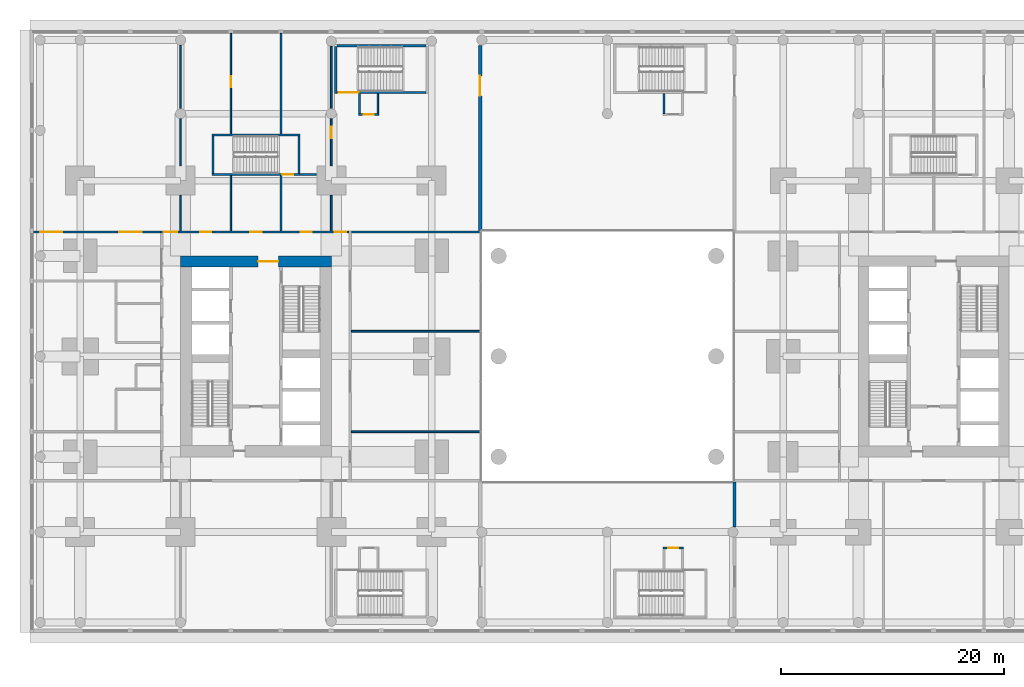
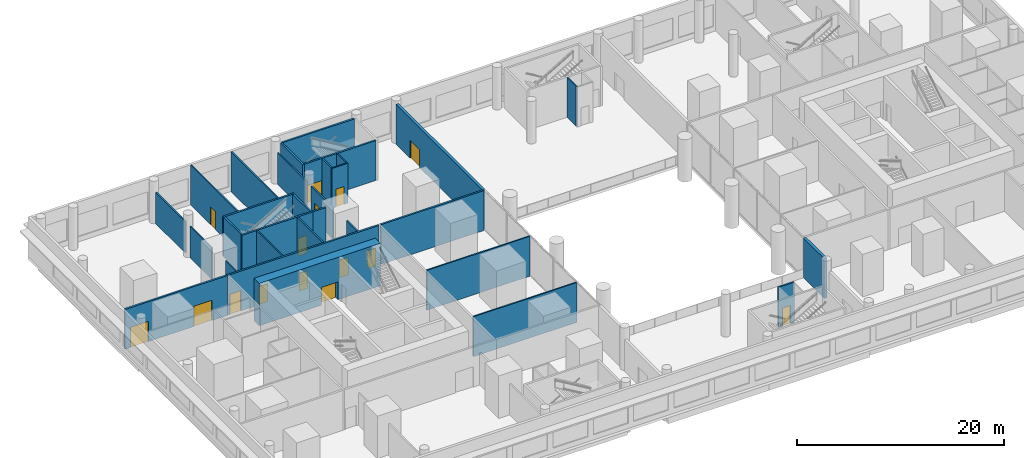
# One storey, part 12 of 21: 31 walls, 15 doors, 15 openings.
"""IFC4 building model written with IfcOpenShell, lengths in metres."""

from ifc_helpers import new_model, si_unit, direction, frame, frame_2d, origin, place, context, subcontext, project, spatial, rectangle, extrude, material, layer, layer_set, type_object, element, fill, save


model = new_model("IFC4")

# Units and contexts
model_context = context("Model", 3, precision=1e-05, world=origin(), true_north=direction((0.0, 1.0)))
body_context = subcontext(model_context, "Body", "Model", "MODEL_VIEW")
ifc_project = project(units=[si_unit("LENGTHUNIT", "METRE"), si_unit("AREAUNIT", "SQUARE_METRE"), si_unit("VOLUMEUNIT", "CUBIC_METRE"), si_unit("PLANEANGLEUNIT", "RADIAN"), si_unit("MASSUNIT", "GRAM", prefix="KILO")], contexts=[model_context])

# Site, building, storey
site_placement = place(None, origin())
site = spatial("IfcSite", under=ifc_project, at=site_placement, CompositionType="ELEMENT")
building_placement = place(site_placement, origin())
building = spatial("IfcBuilding", under=site, at=building_placement, Name="Namib Vertical Campus", CompositionType="ELEMENT")
storey_placement = place(building_placement, frame((0.0, 0.0, 6.0)))
storey = spatial("IfcBuildingStorey", under=building, at=storey_placement, Name="L01", CompositionType="ELEMENT", Elevation=6.0)

# Wall, opening, door
ifc_material_1 = material(Name="Concrete C60/75", Category="concrete")
ifc_layer_1 = layer(ifc_material_1, 1.0)
ifc_layer_set_1 = layer_set([ifc_layer_1], Name="Concrete C60/75")
wall_type_1 = type_object("IfcWallType", Name="Core wall 1000", PredefinedType="SHEAR", material=ifc_layer_set_1)
wall_1_placement = place(storey_placement, frame((27.0, 28.75, 0.0), z_axis=(0.0, 0.0, 1.0), x_axis=(-1.0, 0.0, 0.0)))
wall_1 = element("IfcWall", 1, at=wall_1_placement, inside=storey, type_object=wall_type_1, Name="Core wall A L01 3", PredefinedType="SHEAR", context=body_context, shape_type="SweptSolid", body=[
    extrude(rectangle(XDim=13.5, YDim=1.0, at=frame_2d((6.75, 0.0))), origin(), (0.0, 0.0, 1.0), 5.0),
])
opening_1_placement = place(wall_1_placement, frame((4.75, 0.0, 0.0)))
opening_1 = element("IfcOpeningElement", 2, at=opening_1_placement, cuts=wall_1, Name="Opening FD2", PredefinedType="OPENING", context=body_context, shape_type="SweptSolid", body=[
    extrude(rectangle(XDim=1.800048828125, YDim=2.10009765625, at=frame_2d((0.89990234375, 1.050048828125))), frame((0.0, 0.510009765625, 0.0), z_axis=(0.0, -1.0, 0.0), x_axis=(1.0, 0.0, 0.0)), (0.0, 0.0, 1.0), 1.02001953125),
])
ifc_material_2 = material(Name="Steel fire door", Category="steel")
door_type_1 = type_object("IfcDoorType", Name="Fire door double 1800x2100", OperationType="DOUBLE_DOOR_SINGLE_SWING", PredefinedType="DOOR", material=ifc_material_2)
door_1_placement = place(opening_1_placement, origin())
door_1 = element("IfcDoor", 3, at=door_1_placement, inside=storey, type_object=door_type_1, Name="Lift lobby door FD2 A L01", OperationType="DOUBLE_DOOR_SINGLE_SWING", OverallHeight=2.10009765625, OverallWidth=1.800048828125, PredefinedType="DOOR", context=body_context, shape_type="SweptSolid", body=[
    extrude(rectangle(XDim=1.800048828125, YDim=2.10009765625, at=frame_2d((0.89990234375, 1.050048828125))), frame((0.0, 0.02490234375, 0.0), z_axis=(0.0, -1.0, 0.0), x_axis=(1.0, 0.0, 0.0)), (0.0, 0.0, 1.0), 0.050048828125),
])
fill(opening_1, door_1)

# Wall, openings, doors
ifc_material_3 = material(Name="Concrete masonry", Category="masonry")
ifc_layer_2 = layer(ifc_material_3, 0.199951171875)
ifc_layer_set_2 = layer_set([ifc_layer_2], Name="Corridor wall 200")
wall_type_2 = type_object("IfcWallType", Name="Corridor wall 200", PredefinedType="SOLIDWALL", material=ifc_layer_set_2)
wall_2_placement = place(storey_placement, frame((28.60009765625, 31.39990234375, 0.0), z_axis=(0.0, 0.0, 1.0), x_axis=(-1.0, 0.0, 0.0)))
wall_2 = element("IfcWall", 4, at=wall_2_placement, inside=storey, type_object=wall_type_2, Name="Corridor wall A L01 CN", PredefinedType="SOLIDWALL", context=body_context, shape_type="SweptSolid", body=[
    extrude(rectangle(XDim=16.900146484375, YDim=0.199951171875, at=frame_2d((8.4501953125, 0.0))), origin(), (0.0, 0.0, 1.0), 4.699951171875),
])
opening_2_placement = place(wall_2_placement, frame((15.39990234375, 0.0, 0.0)))
opening_2 = element("IfcOpeningElement", 5, at=opening_2_placement, cuts=wall_2, Name="Opening AD2", PredefinedType="OPENING", context=body_context, shape_type="SweptSolid", body=[
    extrude(rectangle(XDim=1.199951171875, YDim=2.39990234375, at=frame_2d((0.60009765625, 1.199951171875))), frame((0.0, 0.10986328125, 0.0), z_axis=(0.0, -1.0, 0.0), x_axis=(1.0, 0.0, 0.0)), (0.0, 0.0, 1.0), 0.219970703125),
])
opening_3_placement = place(wall_2_placement, frame((12.35009765625, 0.0, 0.0)))
opening_3 = element("IfcOpeningElement", 6, at=opening_3_placement, cuts=wall_2, Name="Opening CD1", PredefinedType="OPENING", context=body_context, shape_type="SweptSolid", body=[
    extrude(rectangle(XDim=1.0, YDim=2.10009765625, at=frame_2d((0.5, 1.050048828125))), frame((0.0, 0.10986328125, 0.0), z_axis=(0.0, -1.0, 0.0), x_axis=(1.0, 0.0, 0.0)), (0.0, 0.0, 1.0), 0.219970703125),
])
opening_4_placement = place(wall_2_placement, frame((7.85009765625, 0.0, 0.0)))
opening_4 = element("IfcOpeningElement", 7, at=opening_4_placement, cuts=wall_2, Name="Opening CD1", PredefinedType="OPENING", context=body_context, shape_type="SweptSolid", body=[
    extrude(rectangle(XDim=1.0, YDim=2.10009765625, at=frame_2d((0.5, 1.050048828125))), frame((0.0, 0.10986328125, 0.0), z_axis=(0.0, -1.0, 0.0), x_axis=(1.0, 0.0, 0.0)), (0.0, 0.0, 1.0), 0.219970703125),
])
opening_5_placement = place(wall_2_placement, frame((0.27490234375, 0.0, 0.0)))
opening_5 = element("IfcOpeningElement", 8, at=opening_5_placement, cuts=wall_2, Name="Opening CD1", PredefinedType="OPENING", context=body_context, shape_type="SweptSolid", body=[
    extrude(rectangle(XDim=1.0, YDim=2.10009765625, at=frame_2d((0.5, 1.050048828125))), frame((0.0, 0.10986328125, 0.0), z_axis=(0.0, -1.0, 0.0), x_axis=(1.0, 0.0, 0.0)), (0.0, 0.0, 1.0), 0.219970703125),
])
opening_6_placement = place(wall_2_placement, frame((3.35009765625, 0.0, 0.0)))
opening_6 = element("IfcOpeningElement", 9, at=opening_6_placement, cuts=wall_2, Name="Opening CD1", PredefinedType="OPENING", context=body_context, shape_type="SweptSolid", body=[
    extrude(rectangle(XDim=1.0, YDim=2.10009765625, at=frame_2d((0.5, 1.050048828125))), frame((0.0, 0.10986328125, 0.0), z_axis=(0.0, -1.0, 0.0), x_axis=(1.0, 0.0, 0.0)), (0.0, 0.0, 1.0), 0.219970703125),
])
ifc_material_4 = material(Name="Timber fire door leaf", Category="wood")
door_type_2 = type_object("IfcDoorType", Name="Corridor door 1000x2100 20 min", OperationType="SINGLE_SWING_LEFT", PredefinedType="DOOR", material=ifc_material_4)
door_2_placement = place(opening_3_placement, frame((1.0, 0.0, 0.0), z_axis=(0.0, 0.0, 1.0), x_axis=(-1.0, 0.0, 0.0)))
door_2 = element("IfcDoor", 10, at=door_2_placement, inside=storey, type_object=door_type_2, Name="Door CD1 A01-08", OperationType="SINGLE_SWING_RIGHT", OverallHeight=2.10009765625, OverallWidth=1.0, PredefinedType="DOOR", context=body_context, shape_type="SweptSolid", body=[
    extrude(rectangle(XDim=1.0, YDim=2.10009765625, at=frame_2d((0.5, 1.050048828125))), frame((0.0, 0.02490234375, 0.0), z_axis=(0.0, -1.0, 0.0), x_axis=(1.0, 0.0, 0.0)), (0.0, 0.0, 1.0), 0.050048828125),
])
fill(opening_3, door_2)
door_3_placement = place(opening_4_placement, frame((1.0, 0.0, 0.0), z_axis=(0.0, 0.0, 1.0), x_axis=(-1.0, 0.0, 0.0)))
door_3 = element("IfcDoor", 11, at=door_3_placement, inside=storey, type_object=door_type_2, Name="Door CD1 A01-09", OperationType="SINGLE_SWING_RIGHT", OverallHeight=2.10009765625, OverallWidth=1.0, PredefinedType="DOOR", context=body_context, shape_type="SweptSolid", body=[
    extrude(rectangle(XDim=1.0, YDim=2.10009765625, at=frame_2d((0.5, 1.050048828125))), frame((0.0, 0.02490234375, 0.0), z_axis=(0.0, -1.0, 0.0), x_axis=(1.0, 0.0, 0.0)), (0.0, 0.0, 1.0), 0.050048828125),
])
fill(opening_4, door_3)
door_4_placement = place(opening_5_placement, origin())
door_4 = element("IfcDoor", 12, at=door_4_placement, inside=storey, type_object=door_type_2, Name="Door CD1 A01-10", OperationType="SINGLE_SWING_RIGHT", OverallHeight=2.10009765625, OverallWidth=1.0, PredefinedType="DOOR", context=body_context, shape_type="SweptSolid", body=[
    extrude(rectangle(XDim=1.0, YDim=2.10009765625, at=frame_2d((0.5, 1.050048828125))), frame((0.0, 0.02490234375, 0.0), z_axis=(0.0, -1.0, 0.0), x_axis=(1.0, 0.0, 0.0)), (0.0, 0.0, 1.0), 0.050048828125),
])
fill(opening_5, door_4)
door_5_placement = place(opening_6_placement, frame((1.0, 0.0, 0.0), z_axis=(0.0, 0.0, 1.0), x_axis=(-1.0, 0.0, 0.0)))
door_5 = element("IfcDoor", 13, at=door_5_placement, inside=storey, type_object=door_type_2, Name="Door CD1 A01-20", OperationType="SINGLE_SWING_LEFT", OverallHeight=2.10009765625, OverallWidth=1.0, PredefinedType="DOOR", context=body_context, shape_type="SweptSolid", body=[
    extrude(rectangle(XDim=1.0, YDim=2.10009765625, at=frame_2d((0.5, 1.050048828125))), frame((0.0, 0.02490234375, 0.0), z_axis=(0.0, -1.0, 0.0), x_axis=(1.0, 0.0, 0.0)), (0.0, 0.0, 1.0), 0.050048828125),
])
fill(opening_6, door_5)
ifc_material_5 = material(Name="Timber acoustic fire door leaf", Category="wood")
door_type_3 = type_object("IfcDoorType", Name="Lecture room door single 1200x2400 acoustic", OperationType="SINGLE_SWING_LEFT", PredefinedType="DOOR", material=ifc_material_5)
door_6_placement = place(opening_2_placement, origin())
door_6 = element("IfcDoor", 14, at=door_6_placement, inside=storey, type_object=door_type_3, Name="Door AD2 A01-07", OperationType="SINGLE_SWING_LEFT", OverallHeight=2.39990234375, OverallWidth=1.199951171875, PredefinedType="DOOR", context=body_context, shape_type="SweptSolid", body=[
    extrude(rectangle(XDim=1.199951171875, YDim=2.39990234375, at=frame_2d((0.60009765625, 1.199951171875))), frame((0.0, 0.02490234375, 0.0), z_axis=(0.0, -1.0, 0.0), x_axis=(1.0, 0.0, 0.0)), (0.0, 0.0, 1.0), 0.050048828125),
])
fill(opening_2, door_6)

wall_3_placement = place(storey_placement, frame((0.300048828125, 31.39990234375, 0.0), z_axis=(0.0, 0.0, 1.0), x_axis=(1.0, 0.0, 0.0)))
wall_3 = element("IfcWall", 15, at=wall_3_placement, inside=storey, type_object=wall_type_2, Name="Partition A L01 BNW", PredefinedType="SOLIDWALL", context=body_context, shape_type="SweptSolid", body=[
    extrude(rectangle(XDim=11.39990234375, YDim=0.199951171875, at=frame_2d((5.699951171875, 0.0))), origin(), (0.0, 0.0, 1.0), 4.699951171875),
])
opening_7_placement = place(wall_3_placement, frame((0.60009765625, 0.0, 0.0)))
opening_7 = element("IfcOpeningElement", 16, at=opening_7_placement, cuts=wall_3, Name="Opening AD1", PredefinedType="OPENING", context=body_context, shape_type="SweptSolid", body=[
    extrude(rectangle(XDim=2.0, YDim=2.39990234375, at=frame_2d((1.0, 1.199951171875))), frame((0.0, 0.10986328125, 0.0), z_axis=(0.0, -1.0, 0.0), x_axis=(1.0, 0.0, 0.0)), (0.0, 0.0, 1.0), 0.219970703125),
])
opening_8_placement = place(wall_3_placement, frame((7.699951171875, 0.0, 0.0)))
opening_8 = element("IfcOpeningElement", 17, at=opening_8_placement, cuts=wall_3, Name="Opening AD1", PredefinedType="OPENING", context=body_context, shape_type="SweptSolid", body=[
    extrude(rectangle(XDim=2.0, YDim=2.39990234375, at=frame_2d((1.0, 1.199951171875))), frame((0.0, 0.10986328125, 0.0), z_axis=(0.0, -1.0, 0.0), x_axis=(1.0, 0.0, 0.0)), (0.0, 0.0, 1.0), 0.219970703125),
])
ifc_material_6 = material(Name="Timber acoustic fire door leaf", Category="wood")
door_type_4 = type_object("IfcDoorType", Name="Lecture theatre door pair 2000x2400 acoustic", OperationType="DOUBLE_DOOR_SINGLE_SWING", PredefinedType="DOOR", material=ifc_material_6)
door_7_placement = place(opening_7_placement, frame((2.0, 0.0, 0.0), z_axis=(0.0, 0.0, 1.0), x_axis=(-1.0, 0.0, 0.0)))
door_7 = element("IfcDoor", 18, at=door_7_placement, inside=storey, type_object=door_type_4, Name="Door AD1 A01-07 to the foyer 1", OperationType="DOUBLE_DOOR_SINGLE_SWING", OverallHeight=2.39990234375, OverallWidth=2.0, PredefinedType="DOOR", context=body_context, shape_type="SweptSolid", body=[
    extrude(rectangle(XDim=2.0, YDim=2.39990234375, at=frame_2d((1.0, 1.199951171875))), frame((0.0, 0.02490234375, 0.0), z_axis=(0.0, -1.0, 0.0), x_axis=(1.0, 0.0, 0.0)), (0.0, 0.0, 1.0), 0.050048828125),
])
fill(opening_7, door_7)
door_8_placement = place(opening_8_placement, frame((2.0, 0.0, 0.0), z_axis=(0.0, 0.0, 1.0), x_axis=(-1.0, 0.0, 0.0)))
door_8 = element("IfcDoor", 19, at=door_8_placement, inside=storey, type_object=door_type_4, Name="Door AD1 A01-07 to the foyer 2", OperationType="DOUBLE_DOOR_SINGLE_SWING", OverallHeight=2.39990234375, OverallWidth=2.0, PredefinedType="DOOR", context=body_context, shape_type="SweptSolid", body=[
    extrude(rectangle(XDim=2.0, YDim=2.39990234375, at=frame_2d((1.0, 1.199951171875))), frame((0.0, 0.02490234375, 0.0), z_axis=(0.0, -1.0, 0.0), x_axis=(1.0, 0.0, 0.0)), (0.0, 0.0, 1.0), 0.050048828125),
])
fill(opening_8, door_8)

# Walls
wall_4_placement = place(storey_placement, frame((28.800048828125, 31.39990234375, 0.0), z_axis=(0.0, 0.0, 1.0), x_axis=(1.0, 0.0, 0.0)))
element("IfcWall", 20, at=wall_4_placement, inside=storey, type_object=wall_type_2, Name="Partition A L01 BNE", PredefinedType="SOLIDWALL", context=body_context, shape_type="SweptSolid", body=[
    extrude(rectangle(XDim=11.52001953125, YDim=0.199951171875, at=frame_2d((5.760009765625, 0.0))), origin(), (0.0, 0.0, 1.0), 4.699951171875),
])
wall_5_placement = place(storey_placement, frame((24.199951171875, 36.550048828125, 0.0), z_axis=(0.0, 0.0, 1.0), x_axis=(1.0, 0.0, 0.0)))
element("IfcWall", 21, at=wall_5_placement, inside=storey, type_object=wall_type_2, Name="Lobby wall A-S3 L01", PredefinedType="SOLIDWALL", context=body_context, shape_type="SweptSolid", body=[
    extrude(rectangle(XDim=1.47998046875, YDim=0.199951171875, at=frame_2d((0.739990234375, 0.0))), origin(), (0.0, 0.0, 1.0), 4.699951171875),
])

# Wall, opening, door
ifc_material_7 = material(Name="Concrete masonry", Category="masonry")
ifc_layer_3 = layer(ifc_material_7, 0.300048828125)
ifc_layer_set_3 = layer_set([ifc_layer_3], Name="Fire wall 300")
wall_type_3 = type_object("IfcWallType", Name="Fire wall 300", PredefinedType="SOLIDWALL", material=ifc_layer_set_3)
wall_6_placement = place(storey_placement, frame((40.35009765625, 31.5, 0.0), z_axis=(0.0, 0.0, 1.0), x_axis=(0.0, 1.0, 0.0)))
wall_6 = element("IfcWall", 22, at=wall_6_placement, inside=storey, type_object=wall_type_3, Name="Fire wall A L01", PredefinedType="SOLIDWALL", context=body_context, shape_type="SweptSolid", body=[
    extrude(rectangle(XDim=16.6298828125, YDim=0.300048828125, at=frame_2d((8.31494140625, 0.0))), origin(), (0.0, 0.0, 1.0), 4.699951171875),
])
opening_9_placement = place(wall_6_placement, frame((12.10009765625, 0.0, 0.0)))
opening_9 = element("IfcOpeningElement", 23, at=opening_9_placement, cuts=wall_6, Name="Opening FD2", PredefinedType="OPENING", context=body_context, shape_type="SweptSolid", body=[
    extrude(rectangle(XDim=1.800048828125, YDim=2.10009765625, at=frame_2d((0.89990234375, 1.050048828125))), frame((0.0, 0.159912109375, 0.0), z_axis=(0.0, -1.0, 0.0), x_axis=(1.0, 0.0, 0.0)), (0.0, 0.0, 1.0), 0.320068359375),
])
door_9_placement = place(opening_9_placement, origin())
door_9 = element("IfcDoor", 24, at=door_9_placement, inside=storey, type_object=door_type_1, Name="Door FD2 middle A L01 2", OperationType="DOUBLE_DOOR_SINGLE_SWING", OverallHeight=2.10009765625, OverallWidth=1.800048828125, PredefinedType="DOOR", context=body_context, shape_type="SweptSolid", body=[
    extrude(rectangle(XDim=1.800048828125, YDim=2.10009765625, at=frame_2d((0.89990234375, 1.050048828125))), frame((0.0, 0.02490234375, 0.0), z_axis=(0.0, -1.0, 0.0), x_axis=(1.0, 0.0, 0.0)), (0.0, 0.0, 1.0), 0.050048828125),
])
fill(opening_9, door_9)

# Walls
wall_7_placement = place(storey_placement, frame((63.14990234375, 4.969970703125, 0.0), z_axis=(0.0, 0.0, 1.0), x_axis=(0.0, 1.0, 0.0)))
element("IfcWall", 25, at=wall_7_placement, inside=storey, type_object=wall_type_3, Name="Fire wall B L01", PredefinedType="SOLIDWALL", context=body_context, shape_type="SweptSolid", body=[
    extrude(rectangle(XDim=4.030029296875, YDim=0.300048828125, at=frame_2d((2.01513671875, 0.0))), origin(), (0.0, 0.0, 1.0), 4.699951171875),
])
ifc_material_8 = material(Name="Gypsum board on steel studs", Category="steel")
ifc_layer_4 = layer(ifc_material_8, 0.14990234375)
ifc_layer_set_4 = layer_set([ifc_layer_4], Name="Gypsum board on steel studs")
wall_type_4 = type_object("IfcWallType", Name="Partition 150", PredefinedType="PARTITIONING", material=ifc_layer_set_4)
wall_8_placement = place(storey_placement, frame((13.5, 31.5, 0.0), z_axis=(0.0, 0.0, 1.0), x_axis=(0.0, 1.0, 0.0)))
element("IfcWall", 26, at=wall_8_placement, inside=storey, type_object=wall_type_4, Name="Partition A L01 PN1", PredefinedType="PARTITIONING", context=body_context, shape_type="SweptSolid", body=[
    extrude(rectangle(XDim=3.179931640625, YDim=0.14990234375, at=frame_2d((1.58984375, 0.0))), origin(), (0.0, 0.0, 1.0), 3.800048828125),
])
wall_9_placement = place(storey_placement, frame((13.5, 37.320068359375, 0.0), z_axis=(0.0, 0.0, 1.0), x_axis=(0.0, 1.0, 0.0)))
element("IfcWall", 27, at=wall_9_placement, inside=storey, type_object=wall_type_4, Name="Partition A L01 PN1", PredefinedType="PARTITIONING", context=body_context, shape_type="SweptSolid", body=[
    extrude(rectangle(XDim=4.2099609375, YDim=0.14990234375, at=frame_2d((2.10498046875, 0.0))), origin(), (0.0, 0.0, 1.0), 3.699951171875),
])
wall_10_placement = place(storey_placement, frame((13.5, 42.469970703125, 0.0), z_axis=(0.0, 0.0, 1.0), x_axis=(0.0, 1.0, 0.0)))
element("IfcWall", 28, at=wall_10_placement, inside=storey, type_object=wall_type_4, Name="Partition A L01 PN1", PredefinedType="PARTITIONING", context=body_context, shape_type="SweptSolid", body=[
    extrude(rectangle(XDim=5.659912109375, YDim=0.14990234375, at=frame_2d((2.830078125, 0.0))), origin(), (0.0, 0.0, 1.0), 3.699951171875),
])
wall_11_placement = place(storey_placement, frame((18.0, 31.5, 0.0), z_axis=(0.0, 0.0, 1.0), x_axis=(0.0, 1.0, 0.0)))
element("IfcWall", 29, at=wall_11_placement, inside=storey, type_object=wall_type_4, Name="Partition A L01 PN2", PredefinedType="PARTITIONING", context=body_context, shape_type="SweptSolid", body=[
    extrude(rectangle(XDim=4.949951171875, YDim=0.14990234375, at=frame_2d((2.47509765625, 0.0))), origin(), (0.0, 0.0, 1.0), 4.699951171875),
])

# Wall, opening, door
wall_12_placement = place(storey_placement, frame((18.0, 40.199951171875, 0.0), z_axis=(0.0, 0.0, 1.0), x_axis=(0.0, 1.0, 0.0)))
wall_12 = element("IfcWall", 30, at=wall_12_placement, inside=storey, type_object=wall_type_4, Name="Partition A L01 PN2", PredefinedType="PARTITIONING", context=body_context, shape_type="SweptSolid", body=[
    extrude(rectangle(XDim=9.0, YDim=0.14990234375, at=frame_2d((4.5, 0.0))), origin(), (0.0, 0.0, 1.0), 4.699951171875),
])
opening_10_placement = place(wall_12_placement, frame((4.14990234375, 0.0, 0.0)))
opening_10 = element("IfcOpeningElement", 31, at=opening_10_placement, cuts=wall_12, Name="Opening D1", PredefinedType="OPENING", context=body_context, shape_type="SweptSolid", body=[
    extrude(rectangle(XDim=1.0, YDim=2.10009765625, at=frame_2d((0.5, 1.050048828125))), frame((0.0, 0.0849609375, 0.0), z_axis=(0.0, -1.0, 0.0), x_axis=(1.0, 0.0, 0.0)), (0.0, 0.0, 1.0), 0.169921875),
])
ifc_material_9 = material(Name="Timber door leaf", Category="wood")
door_type_5 = type_object("IfcDoorType", Name="Door single 1000x2100", OperationType="SINGLE_SWING_LEFT", PredefinedType="DOOR", material=ifc_material_9)
door_10_placement = place(opening_10_placement, frame((1.0, 0.0, 0.0), z_axis=(0.0, 0.0, 1.0), x_axis=(-1.0, 0.0, 0.0)))
door_10 = element("IfcDoor", 32, at=door_10_placement, inside=storey, type_object=door_type_5, Name="Door D1 A01-19", OperationType="SINGLE_SWING_RIGHT", OverallHeight=2.10009765625, OverallWidth=1.0, PredefinedType="DOOR", context=body_context, shape_type="SweptSolid", body=[
    extrude(rectangle(XDim=1.0, YDim=2.10009765625, at=frame_2d((0.5, 1.050048828125))), frame((0.0, 0.02490234375, 0.0), z_axis=(0.0, -1.0, 0.0), x_axis=(1.0, 0.0, 0.0)), (0.0, 0.0, 1.0), 0.050048828125),
])
fill(opening_10, door_10)

# Walls
wall_13_placement = place(storey_placement, frame((22.5, 31.5, 0.0), z_axis=(0.0, 0.0, 1.0), x_axis=(0.0, 1.0, 0.0)))
element("IfcWall", 33, at=wall_13_placement, inside=storey, type_object=wall_type_4, Name="Partition A L01 PN4", PredefinedType="PARTITIONING", context=body_context, shape_type="SweptSolid", body=[
    extrude(rectangle(XDim=4.949951171875, YDim=0.14990234375, at=frame_2d((2.47509765625, 0.0))), origin(), (0.0, 0.0, 1.0), 4.699951171875),
])
wall_14_placement = place(storey_placement, frame((22.5, 40.199951171875, 0.0), z_axis=(0.0, 0.0, 1.0), x_axis=(0.0, 1.0, 0.0)))
element("IfcWall", 34, at=wall_14_placement, inside=storey, type_object=wall_type_4, Name="Partition A L01 PN4", PredefinedType="PARTITIONING", context=body_context, shape_type="SweptSolid", body=[
    extrude(rectangle(XDim=9.0, YDim=0.14990234375, at=frame_2d((4.5, 0.0))), origin(), (0.0, 0.0, 1.0), 4.699951171875),
])
wall_15_placement = place(storey_placement, frame((27.0, 31.5, 0.0), z_axis=(0.0, 0.0, 1.0), x_axis=(0.0, 1.0, 0.0)))
element("IfcWall", 35, at=wall_15_placement, inside=storey, type_object=wall_type_4, Name="Partition A L01 PN3", PredefinedType="PARTITIONING", context=body_context, shape_type="SweptSolid", body=[
    extrude(rectangle(XDim=3.179931640625, YDim=0.14990234375, at=frame_2d((1.58984375, 0.0))), origin(), (0.0, 0.0, 1.0), 3.800048828125),
])

# Wall, opening, door
wall_16_placement = place(storey_placement, frame((27.0, 37.320068359375, 0.0), z_axis=(0.0, 0.0, 1.0), x_axis=(0.0, 1.0, 0.0)))
wall_16 = element("IfcWall", 36, at=wall_16_placement, inside=storey, type_object=wall_type_4, Name="Partition A L01 PN3", PredefinedType="PARTITIONING", context=body_context, shape_type="SweptSolid", body=[
    extrude(rectangle(XDim=4.2099609375, YDim=0.14990234375, at=frame_2d((2.10498046875, 0.0))), origin(), (0.0, 0.0, 1.0), 3.699951171875),
])
opening_11_placement = place(wall_16_placement, frame((2.5, 0.0, 0.0)))
opening_11 = element("IfcOpeningElement", 37, at=opening_11_placement, cuts=wall_16, Name="Opening D1", PredefinedType="OPENING", context=body_context, shape_type="SweptSolid", body=[
    extrude(rectangle(XDim=1.0, YDim=2.10009765625, at=frame_2d((0.5, 1.050048828125))), frame((0.0, 0.0849609375, 0.0), z_axis=(0.0, -1.0, 0.0), x_axis=(1.0, 0.0, 0.0)), (0.0, 0.0, 1.0), 0.169921875),
])
door_11_placement = place(opening_11_placement, origin())
door_11 = element("IfcDoor", 38, at=door_11_placement, inside=storey, type_object=door_type_5, Name="Door D1 A01-21", OperationType="SINGLE_SWING_RIGHT", OverallHeight=2.10009765625, OverallWidth=1.0, PredefinedType="DOOR", context=body_context, shape_type="SweptSolid", body=[
    extrude(rectangle(XDim=1.0, YDim=2.10009765625, at=frame_2d((0.5, 1.050048828125))), frame((0.0, 0.02490234375, 0.0), z_axis=(0.0, -1.0, 0.0), x_axis=(1.0, 0.0, 0.0)), (0.0, 0.0, 1.0), 0.050048828125),
])
fill(opening_11, door_11)

# Walls
wall_17_placement = place(storey_placement, frame((27.0, 42.469970703125, 0.0), z_axis=(0.0, 0.0, 1.0), x_axis=(0.0, 1.0, 0.0)))
element("IfcWall", 39, at=wall_17_placement, inside=storey, type_object=wall_type_4, Name="Partition A L01 PN3", PredefinedType="PARTITIONING", context=body_context, shape_type="SweptSolid", body=[
    extrude(rectangle(XDim=5.56005859375, YDim=0.14990234375, at=frame_2d((2.780029296875, 0.0))), origin(), (0.0, 0.0, 1.0), 3.699951171875),
])
for number, where, z_axis, x_axis, name in (
    (40, (28.800048828125, 13.5, 0.0), (0.0, 0.0, 1.0), (1.0, 0.0, 0.0), "Partition A L01 PE1"),
    (41, (28.800048828125, 22.5, 0.0), (0.0, 0.0, 1.0), (1.0, 0.0, 0.0), "Partition A L01 PE2"),
):
    element("IfcWall", number, at=place(storey_placement, frame(where, z_axis=z_axis, x_axis=x_axis)), inside=storey, type_object=wall_type_4, Name=name, PredefinedType="PARTITIONING", context=body_context, shape_type="SweptSolid", body=[
        extrude(rectangle(XDim=11.52001953125, YDim=0.14990234375, at=frame_2d((5.760009765625, 0.0))), origin(), (0.0, 0.0, 1.0), 4.699951171875),
    ])
wall_18_placement = place(storey_placement, frame((31.175048828125, 42.0, 0.0), z_axis=(0.0, 0.0, 1.0), x_axis=(0.0, 1.0, 0.0)))
element("IfcWall", 42, at=wall_18_placement, inside=storey, type_object=wall_type_4, Name="Refuge cell partition P-S1 L01", PredefinedType="PARTITIONING", context=body_context, shape_type="SweptSolid", body=[
    extrude(rectangle(XDim=1.800048828125, YDim=0.14990234375, at=frame_2d((0.89990234375, 0.0))), origin(), (0.0, 0.0, 1.0), 4.699951171875),
])

# Wall, opening, door
wall_19_placement = place(storey_placement, frame((29.449951171875, 41.925048828125, 0.0), z_axis=(0.0, 0.0, 1.0), x_axis=(1.0, 0.0, 0.0)))
wall_19 = element("IfcWall", 43, at=wall_19_placement, inside=storey, type_object=wall_type_4, Name="Refuge cell partition P-S1 L01", PredefinedType="PARTITIONING", context=body_context, shape_type="SweptSolid", body=[
    extrude(rectangle(XDim=1.800048828125, YDim=0.14990234375, at=frame_2d((0.89990234375, 0.0))), origin(), (0.0, 0.0, 1.0), 4.699951171875),
])
opening_12_placement = place(wall_19_placement, frame((0.449951171875, 0.0, 0.0)))
opening_12 = element("IfcOpeningElement", 44, at=opening_12_placement, cuts=wall_19, Name="Opening RD2", PredefinedType="OPENING", context=body_context, shape_type="SweptSolid", body=[
    extrude(rectangle(XDim=0.89990234375, YDim=2.10009765625, at=frame_2d((0.449951171875, 1.050048828125))), frame((0.0, 0.0849609375, 0.0), z_axis=(0.0, -1.0, 0.0), x_axis=(1.0, 0.0, 0.0)), (0.0, 0.0, 1.0), 0.169921875),
])
ifc_material_10 = material(Name="Timber fire door leaf", Category="wood")
door_type_6 = type_object("IfcDoorType", Name="Refuge cell door 900x2100 30 min", OperationType="SINGLE_SWING_LEFT", PredefinedType="DOOR", material=ifc_material_10)
door_12_placement = place(opening_12_placement, origin())
door_12 = element("IfcDoor", 45, at=door_12_placement, inside=storey, type_object=door_type_6, Name="Door RD2 Refuge area P-S1 L01", OperationType="SINGLE_SWING_LEFT", OverallHeight=2.10009765625, OverallWidth=0.89990234375, PredefinedType="DOOR", context=body_context, shape_type="SweptSolid", body=[
    extrude(rectangle(XDim=0.89990234375, YDim=2.10009765625, at=frame_2d((0.449951171875, 1.050048828125))), frame((0.0, 0.02490234375, 0.0), z_axis=(0.0, -1.0, 0.0), x_axis=(1.0, 0.0, 0.0)), (0.0, 0.0, 1.0), 0.050048828125),
])
fill(opening_12, door_12)

# Walls
for number, where, z_axis, x_axis, name in (
    (46, (29.52490234375, 42.0, 0.0), (0.0, 0.0, 1.0), (0.0, 1.0, 0.0), "Refuge cell partition P-S1 L01"),
    (47, (56.824951171875, 42.0, 0.0), (0.0, 0.0, 1.0), (0.0, 1.0, 0.0), "Refuge cell partition P-S3 L01"),
):
    element("IfcWall", number, at=place(storey_placement, frame(where, z_axis=z_axis, x_axis=x_axis)), inside=storey, type_object=wall_type_4, Name=name, PredefinedType="PARTITIONING", context=body_context, shape_type="SweptSolid", body=[
        extrude(rectangle(XDim=1.800048828125, YDim=0.14990234375, at=frame_2d((0.89990234375, 0.0))), origin(), (0.0, 0.0, 1.0), 4.699951171875),
    ])

# Wall, opening, door
wall_20_placement = place(storey_placement, frame((56.75, 3.074951171875, 0.0), z_axis=(0.0, 0.0, 1.0), x_axis=(1.0, 0.0, 0.0)))
wall_20 = element("IfcWall", 48, at=wall_20_placement, inside=storey, type_object=wall_type_4, Name="Refuge cell partition P-S4 L01", PredefinedType="PARTITIONING", context=body_context, shape_type="SweptSolid", body=[
    extrude(rectangle(XDim=1.800048828125, YDim=0.14990234375, at=frame_2d((0.89990234375, 0.0))), origin(), (0.0, 0.0, 1.0), 4.699951171875),
])
opening_13_placement = place(wall_20_placement, frame((0.449951171875, 0.0, 0.0)))
opening_13 = element("IfcOpeningElement", 49, at=opening_13_placement, cuts=wall_20, Name="Opening RD2", PredefinedType="OPENING", context=body_context, shape_type="SweptSolid", body=[
    extrude(rectangle(XDim=0.89990234375, YDim=2.10009765625, at=frame_2d((0.449951171875, 1.050048828125))), frame((0.0, 0.0849609375, 0.0), z_axis=(0.0, -1.0, 0.0), x_axis=(1.0, 0.0, 0.0)), (0.0, 0.0, 1.0), 0.169921875),
])
door_13_placement = place(opening_13_placement, frame((0.89990234375, 0.0, 0.0), z_axis=(0.0, 0.0, 1.0), x_axis=(-1.0, 0.0, 0.0)))
door_13 = element("IfcDoor", 50, at=door_13_placement, inside=storey, type_object=door_type_6, Name="Door RD2 Refuge area P-S4 L01", OperationType="SINGLE_SWING_RIGHT", OverallHeight=2.10009765625, OverallWidth=0.89990234375, PredefinedType="DOOR", context=body_context, shape_type="SweptSolid", body=[
    extrude(rectangle(XDim=0.89990234375, YDim=2.10009765625, at=frame_2d((0.449951171875, 1.050048828125))), frame((0.0, 0.02490234375, 0.0), z_axis=(0.0, -1.0, 0.0), x_axis=(1.0, 0.0, 0.0)), (0.0, 0.0, 1.0), 0.050048828125),
])
fill(opening_13, door_13)

ifc_material_11 = material(Name="Concrete C40/50", Category="concrete")
ifc_layer_5 = layer(ifc_material_11, 0.199951171875)
ifc_layer_set_5 = layer_set([ifc_layer_5], Name="Concrete C40/50")
wall_type_5 = type_object("IfcWallType", Name="Stair enclosure wall RC 200", PredefinedType="SOLIDWALL", material=ifc_layer_set_5)
wall_21_placement = place(storey_placement, frame((27.5, 43.89990234375, 0.0), z_axis=(0.0, 0.0, 1.0), x_axis=(1.0, 0.0, 0.0)))
wall_21 = element("IfcWall", 51, at=wall_21_placement, inside=storey, type_object=wall_type_5, Name="Stair enclosure wall P-S1 L01 room side", PredefinedType="SOLIDWALL", context=body_context, shape_type="SweptSolid", body=[
    extrude(rectangle(XDim=8.0, YDim=0.199951171875, at=frame_2d((4.0, 0.0))), origin(), (0.0, 0.0, 1.0), 4.699951171875),
])
opening_14_placement = place(wall_21_placement, frame((0.14990234375, 0.0, 0.0)))
opening_14 = element("IfcOpeningElement", 52, at=opening_14_placement, cuts=wall_21, Name="Opening FD2", PredefinedType="OPENING", context=body_context, shape_type="SweptSolid", body=[
    extrude(rectangle(XDim=1.800048828125, YDim=2.10009765625, at=frame_2d((0.89990234375, 1.050048828125))), frame((0.0, 0.10986328125, 0.0), z_axis=(0.0, -1.0, 0.0), x_axis=(1.0, 0.0, 0.0)), (0.0, 0.0, 1.0), 0.219970703125),
])
door_14_placement = place(opening_14_placement, origin())
door_14 = element("IfcDoor", 53, at=door_14_placement, inside=storey, type_object=door_type_1, Name="Stair door FD2 P-S1 L01", OperationType="DOUBLE_DOOR_SINGLE_SWING", OverallHeight=2.10009765625, OverallWidth=1.800048828125, PredefinedType="DOOR", context=body_context, shape_type="SweptSolid", body=[
    extrude(rectangle(XDim=1.800048828125, YDim=2.10009765625, at=frame_2d((0.89990234375, 1.050048828125))), frame((0.0, 0.02490234375, 0.0), z_axis=(0.0, -1.0, 0.0), x_axis=(1.0, 0.0, 0.0)), (0.0, 0.0, 1.0), 0.050048828125),
])
fill(opening_14, door_14)

# Walls
wall_22_placement = place(storey_placement, frame((27.5, 48.10009765625, 0.0), z_axis=(0.0, 0.0, 1.0), x_axis=(1.0, 0.0, 0.0)))
element("IfcWall", 54, at=wall_22_placement, inside=storey, type_object=wall_type_5, Name="Stair enclosure wall P-S1 L01 facade side", PredefinedType="SOLIDWALL", context=body_context, shape_type="SweptSolid", body=[
    extrude(rectangle(XDim=8.0, YDim=0.199951171875, at=frame_2d((4.0, 0.0))), origin(), (0.0, 0.0, 1.0), 4.699951171875),
])
wall_23_placement = place(storey_placement, frame((27.39990234375, 43.800048828125, 0.0), z_axis=(0.0, 0.0, 1.0), x_axis=(0.0, 1.0, 0.0)))
element("IfcWall", 55, at=wall_23_placement, inside=storey, type_object=wall_type_5, Name="Stair enclosure wall P-S1 L01 W", PredefinedType="SOLIDWALL", context=body_context, shape_type="SweptSolid", body=[
    extrude(rectangle(XDim=4.22998046875, YDim=0.199951171875, at=frame_2d((2.114990234375, 0.0))), origin(), (0.0, 0.0, 1.0), 4.699951171875),
])

# Wall, opening, door
wall_24_placement = place(storey_placement, frame((16.300048828125, 36.550048828125, 0.0), z_axis=(0.0, 0.0, 1.0), x_axis=(1.0, 0.0, 0.0)))
wall_24 = element("IfcWall", 56, at=wall_24_placement, inside=storey, type_object=wall_type_5, Name="Stair enclosure wall A-S3 L01 S", PredefinedType="SOLIDWALL", context=body_context, shape_type="SweptSolid", body=[
    extrude(rectangle(XDim=7.89990234375, YDim=0.199951171875, at=frame_2d((3.949951171875, 0.0))), origin(), (0.0, 0.0, 1.0), 4.699951171875),
])
opening_15_placement = place(wall_24_placement, frame((6.300048828125, 0.0, 0.0)))
opening_15 = element("IfcOpeningElement", 57, at=opening_15_placement, cuts=wall_24, Name="Opening FD1", PredefinedType="OPENING", context=body_context, shape_type="SweptSolid", body=[
    extrude(rectangle(XDim=1.0, YDim=2.10009765625, at=frame_2d((0.5, 1.050048828125))), frame((0.0, 0.10986328125, 0.0), z_axis=(0.0, -1.0, 0.0), x_axis=(1.0, 0.0, 0.0)), (0.0, 0.0, 1.0), 0.219970703125),
])
ifc_material_12 = material(Name="Steel fire door", Category="steel")
door_type_7 = type_object("IfcDoorType", Name="Fire door 1000x2100", OperationType="SINGLE_SWING_RIGHT", PredefinedType="DOOR", material=ifc_material_12)
door_15_placement = place(opening_15_placement, origin())
door_15 = element("IfcDoor", 58, at=door_15_placement, inside=storey, type_object=door_type_7, Name="Stair door FD1 A L01 S3", OperationType="SINGLE_SWING_RIGHT", OverallHeight=2.10009765625, OverallWidth=1.0, PredefinedType="DOOR", context=body_context, shape_type="SweptSolid", body=[
    extrude(rectangle(XDim=1.0, YDim=2.10009765625, at=frame_2d((0.5, 1.050048828125))), frame((0.0, 0.02490234375, 0.0), z_axis=(0.0, -1.0, 0.0), x_axis=(1.0, 0.0, 0.0)), (0.0, 0.0, 1.0), 0.050048828125),
])
fill(opening_15, door_15)

# Walls
wall_25_placement = place(storey_placement, frame((16.300048828125, 40.10009765625, 0.0), z_axis=(0.0, 0.0, 1.0), x_axis=(1.0, 0.0, 0.0)))
element("IfcWall", 59, at=wall_25_placement, inside=storey, type_object=wall_type_5, Name="Stair enclosure wall A-S3 L01 N", PredefinedType="SOLIDWALL", context=body_context, shape_type="SweptSolid", body=[
    extrude(rectangle(XDim=7.89990234375, YDim=0.199951171875, at=frame_2d((3.949951171875, 0.0))), origin(), (0.0, 0.0, 1.0), 4.699951171875),
])
for number, where, z_axis, x_axis, name in (
    (60, (16.39990234375, 36.64990234375, 0.0), (0.0, 0.0, 1.0), (0.0, 1.0, 0.0), "Stair enclosure wall A-S3 L01 W"),
    (61, (24.10009765625, 36.64990234375, 0.0), (0.0, 0.0, 1.0), (0.0, 1.0, 0.0), "Stair enclosure wall A-S3 L01 E"),
):
    element("IfcWall", number, at=place(storey_placement, frame(where, z_axis=z_axis, x_axis=x_axis)), inside=storey, type_object=wall_type_5, Name=name, PredefinedType="SOLIDWALL", context=body_context, shape_type="SweptSolid", body=[
        extrude(rectangle(XDim=3.35009765625, YDim=0.199951171875, at=frame_2d((1.675048828125, 0.0))), origin(), (0.0, 0.0, 1.0), 4.699951171875),
    ])

save(model, "model.ifc")
